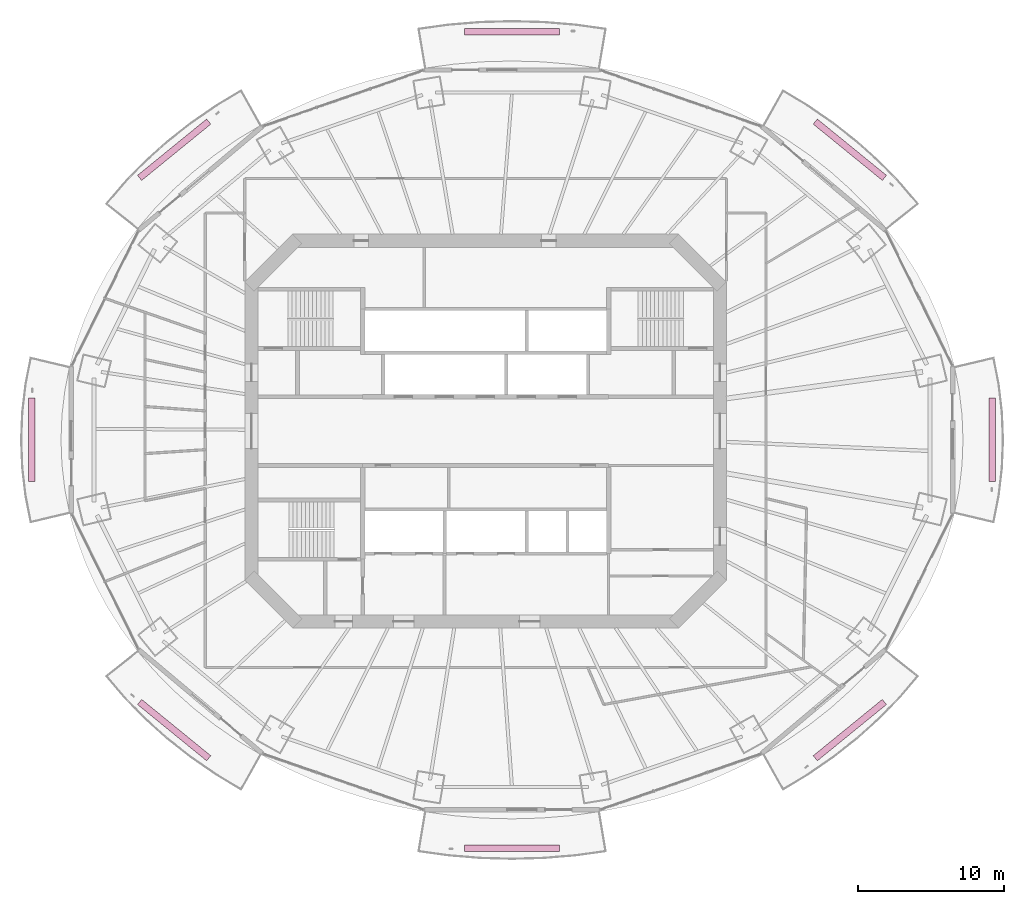
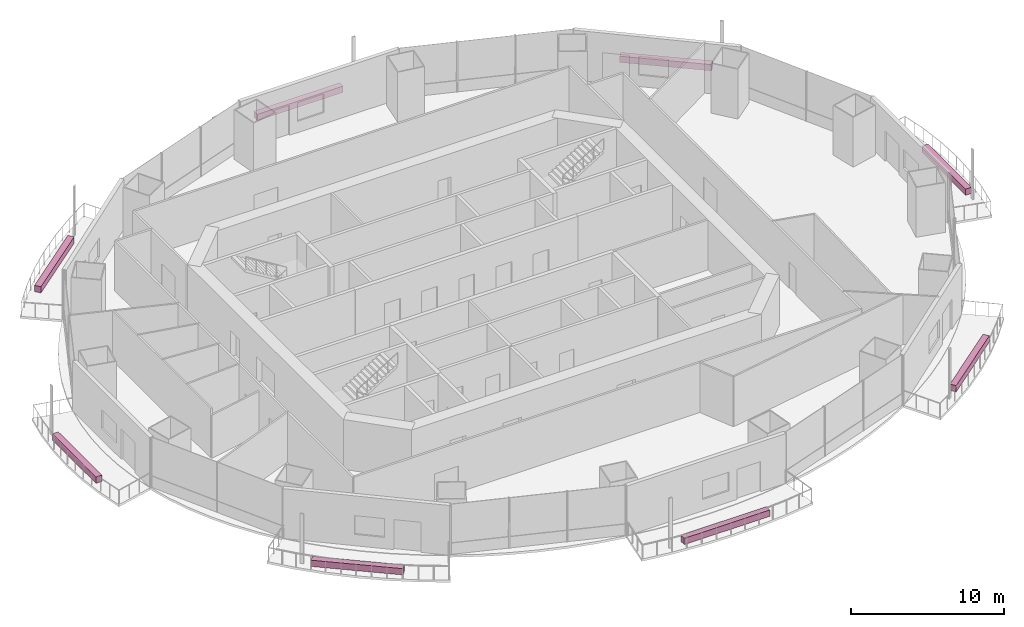
# One storey, part 19 of 19: 8 furnishings.
"""IFC4 building model written with IfcOpenShell, lengths in metres."""

from ifc_helpers import new_model, si_unit, direction, frame, origin, origin_2d, place, context, subcontext, project, spatial, rectangle, extrude, material, type_object, element, save


model = new_model("IFC4")

# Units and contexts
model_context = context("Model", 3, precision=1e-05, world=origin(), true_north=direction((0.0, 1.0)))
body_context = subcontext(model_context, "Body", "Model", "MODEL_VIEW")
ifc_project = project(units=[si_unit("LENGTHUNIT", "METRE"), si_unit("AREAUNIT", "SQUARE_METRE"), si_unit("VOLUMEUNIT", "CUBIC_METRE"), si_unit("PLANEANGLEUNIT", "RADIAN"), si_unit("MASSUNIT", "GRAM", prefix="KILO")], contexts=[model_context])

# Site, building, storey
site_placement = place(None, origin())
site = spatial("IfcSite", under=ifc_project, at=site_placement, CompositionType="ELEMENT")
building_placement = place(site_placement, origin())
building = spatial("IfcBuilding", under=site, at=building_placement, Name="Marenthal Gate Tower", CompositionType="ELEMENT")
storey_placement = place(building_placement, frame((0.0, 0.0, 227.449951171875)))
storey = spatial("IfcBuildingStorey", under=building, at=storey_placement, Name="L50", CompositionType="ELEMENT", Elevation=227.449951171875)

# Furnishings
ifc_material = material(Name="Planting soil and foliage", Category="planting")
furnishing_element_type = type_object("IfcFurnishingElementType", Name="Balcony PLANTER trough", material=ifc_material)
furnishing_1_placement = place(storey_placement, frame((24.87744140625, 19.22314453125, -0.0400390625), z_axis=(0.0, 0.0, 1.0), x_axis=(-0.775431645029, 0.631431519555, 0.0)))
element("IfcFurnishingElement", 1, at=furnishing_1_placement, inside=storey, type_object=furnishing_element_type, Name="Balcony PLANTER L50 bay 2", ObjectType="PLANTER", context=body_context, shape_type="SweptSolid", body=[
    extrude(rectangle(XDim=6.08984375, YDim=0.449951171875, at=origin_2d()), origin(), (0.0, 0.0, 1.0), 0.5),
])
furnishing_2_placement = place(storey_placement, frame((1.800048828125, 27.280029296875, -0.0400390625), z_axis=(0.0, 0.0, 1.0), x_axis=(-1.0, 0.0, 0.0)))
element("IfcFurnishingElement", 2, at=furnishing_2_placement, inside=storey, type_object=furnishing_element_type, Name="Balcony PLANTER L50 bay 4", ObjectType="PLANTER", context=body_context, shape_type="SweptSolid", body=[
    extrude(rectangle(XDim=6.471923828125, YDim=0.449951171875, at=origin_2d()), origin(), (0.0, 0.0, 1.0), 0.5),
])
furnishing_3_placement = place(storey_placement, frame((-21.27734375, 19.22314453125, -0.0400390625), z_axis=(0.0, 0.0, 1.0), x_axis=(-0.775431645029, -0.631431519555, 0.0)))
element("IfcFurnishingElement", 3, at=furnishing_3_placement, inside=storey, type_object=furnishing_element_type, Name="Balcony PLANTER L50 bay 6", ObjectType="PLANTER", context=body_context, shape_type="SweptSolid", body=[
    extrude(rectangle(XDim=6.08984375, YDim=0.449951171875, at=origin_2d()), origin(), (0.0, 0.0, 1.0), 0.5),
])
furnishing_4_placement = place(storey_placement, frame((-31.0029296875, -0.60009765625, -0.0400390625), z_axis=(0.0, 0.0, 1.0), x_axis=(0.0, -1.0, 0.0)))
element("IfcFurnishingElement", 4, at=furnishing_4_placement, inside=storey, type_object=furnishing_element_type, Name="Balcony PLANTER L50 bay 8", ObjectType="PLANTER", context=body_context, shape_type="SweptSolid", body=[
    extrude(rectangle(XDim=5.695068359375, YDim=0.449951171875, at=origin_2d()), origin(), (0.0, 0.0, 1.0), 0.5),
])
furnishing_5_placement = place(storey_placement, frame((-21.27734375, -20.423095703125, -0.0400390625), z_axis=(0.0, 0.0, 1.0), x_axis=(0.775431645029, -0.631431519555, 0.0)))
element("IfcFurnishingElement", 5, at=furnishing_5_placement, inside=storey, type_object=furnishing_element_type, Name="Balcony PLANTER L50 bay 10", ObjectType="PLANTER", context=body_context, shape_type="SweptSolid", body=[
    extrude(rectangle(XDim=6.08984375, YDim=0.449951171875, at=origin_2d()), origin(), (0.0, 0.0, 1.0), 0.5),
])
furnishing_6_placement = place(storey_placement, frame((1.800048828125, -28.47998046875, -0.0400390625), z_axis=(0.0, 0.0, 1.0), x_axis=(1.0, 0.0, 0.0)))
element("IfcFurnishingElement", 6, at=furnishing_6_placement, inside=storey, type_object=furnishing_element_type, Name="Balcony PLANTER L50 bay 12", ObjectType="PLANTER", context=body_context, shape_type="SweptSolid", body=[
    extrude(rectangle(XDim=6.471923828125, YDim=0.449951171875, at=origin_2d()), origin(), (0.0, 0.0, 1.0), 0.5),
])
furnishing_7_placement = place(storey_placement, frame((24.87744140625, -20.423095703125, -0.0400390625), z_axis=(0.0, 0.0, 1.0), x_axis=(0.775431645029, 0.631431519555, 0.0)))
element("IfcFurnishingElement", 7, at=furnishing_7_placement, inside=storey, type_object=furnishing_element_type, Name="Balcony PLANTER L50 bay 14", ObjectType="PLANTER", context=body_context, shape_type="SweptSolid", body=[
    extrude(rectangle(XDim=6.08984375, YDim=0.449951171875, at=origin_2d()), origin(), (0.0, 0.0, 1.0), 0.5),
])
furnishing_8_placement = place(storey_placement, frame((34.60302734375, -0.60009765625, -0.0400390625), z_axis=(0.0, 0.0, 1.0), x_axis=(0.0, 1.0, 0.0)))
element("IfcFurnishingElement", 8, at=furnishing_8_placement, inside=storey, type_object=furnishing_element_type, Name="Balcony PLANTER L50 bay 16", ObjectType="PLANTER", context=body_context, shape_type="SweptSolid", body=[
    extrude(rectangle(XDim=5.695068359375, YDim=0.449951171875, at=origin_2d()), origin(), (0.0, 0.0, 1.0), 0.5),
])

save(model, "model.ifc")
